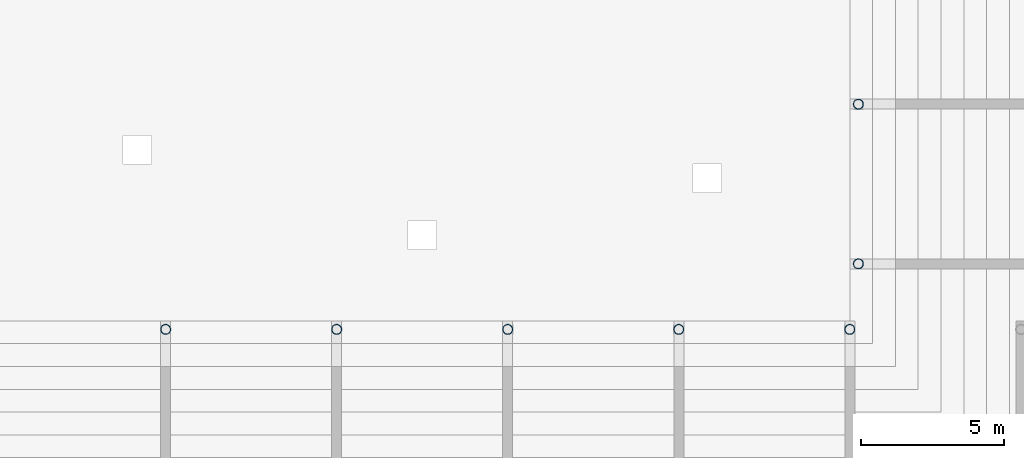
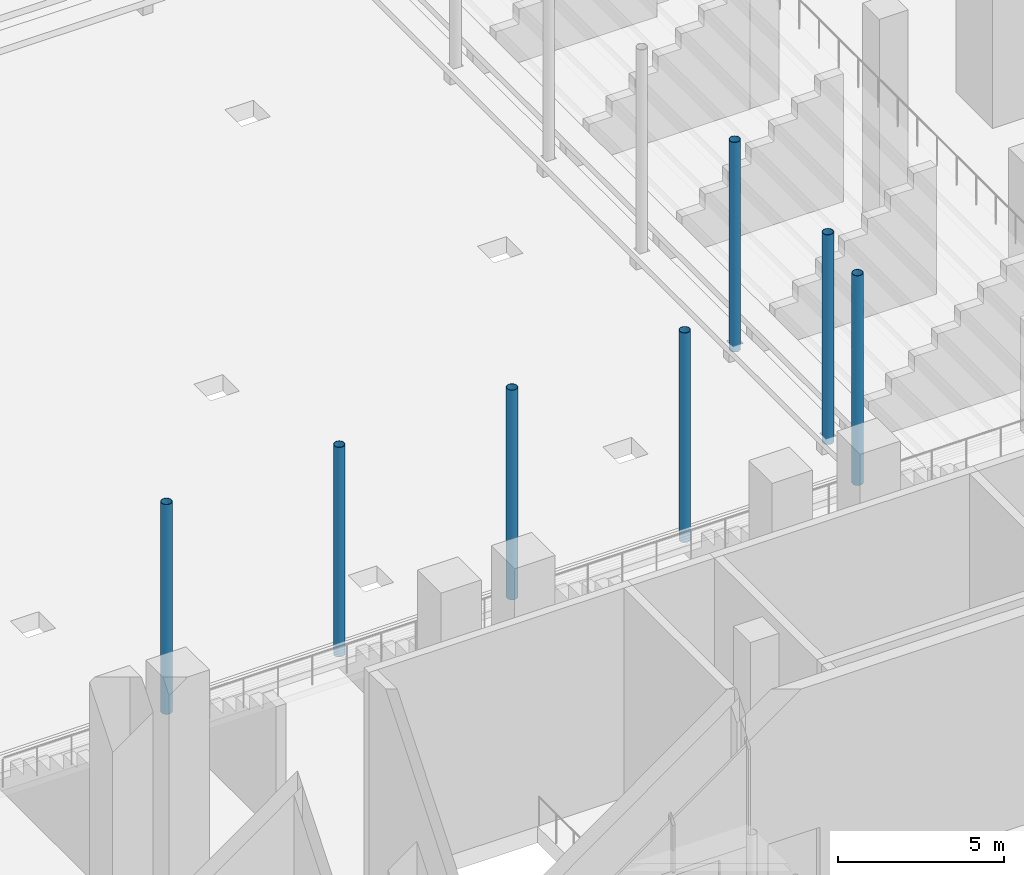
# One storey, part 8 of 41: 7 columns.
"""IFC4 building model written with IfcOpenShell, lengths in metres."""

from ifc_helpers import new_model, si_unit, direction, frame, origin, origin_2d, place, context, subcontext, project, spatial, hollow_circle, extrude, material, material_profile, profile_set, type_object, element, save


model = new_model("IFC4")

# Units and contexts
model_context = context("Model", 3, precision=1e-05, world=origin(), true_north=direction((0.0, 1.0)))
body_context = subcontext(model_context, "Body", "Model", "MODEL_VIEW")
ifc_project = project(units=[si_unit("LENGTHUNIT", "METRE"), si_unit("AREAUNIT", "SQUARE_METRE"), si_unit("VOLUMEUNIT", "CUBIC_METRE"), si_unit("PLANEANGLEUNIT", "RADIAN"), si_unit("MASSUNIT", "GRAM", prefix="KILO")], contexts=[model_context])

# Site, building, storey
site_placement = place(None, origin())
site = spatial("IfcSite", under=ifc_project, at=site_placement, CompositionType="ELEMENT")
building_placement = place(site_placement, origin())
building = spatial("IfcBuilding", under=site, at=building_placement, Name="Wharfspan Tower", CompositionType="ELEMENT")
storey_placement = place(building_placement, origin())
storey = spatial("IfcBuildingStorey", under=building, at=storey_placement, Name="L00", CompositionType="ELEMENT", Elevation=0.0)

# Columns
ifc_material = material(Name="Steel S460NH", Category="steel")
ifc_material_profile = material_profile(ifc_material, hollow_circle(Radius=0.177734, WallThickness=0.016113, at=origin_2d()))
ifc_profile_set = profile_set([ifc_material_profile], Name="Steel S460NH")
column_type = type_object("IfcColumnType", Name="Tier column CHS 356x16", PredefinedType="COLUMN", material=ifc_profile_set)
for number, where, z_axis, x_axis, name in (
    (1, (52.0, -14.300049, 0.300049), (0.0, 0.0, 1.0), (1.0, 0.0, 0.0), "Upper tier column"),
    (2, (58.0, -14.300049, 0.300049), (0.0, 0.0, 1.0), (1.0, 0.0, 0.0), "Upper tier column"),
    (3, (64.0, -14.300049, 0.300049), (0.0, 0.0, 1.0), (1.0, 0.0, 0.0), "Upper tier column"),
    (4, (70.0, -14.300049, 0.300049), (0.0, 0.0, 1.0), (1.0, 0.0, 0.0), "Upper tier column"),
    (5, (76.0, -14.300049, 0.300049), (0.0, 0.0, 1.0), (1.0, 0.0, 0.0), "Upper tier column"),
    (6, (76.300049, -12.0, 0.300049), (0.0, 0.0, 1.0), (1.0, 0.0, 0.0), "Upper tier column"),
    (7, (76.300049, -6.399902, 0.300049), (0.0, 0.0, 1.0), (1.0, 0.0, 0.0), "Upper tier column"),
):
    element("IfcColumn", number, at=place(storey_placement, frame(where, z_axis=z_axis, x_axis=x_axis)), inside=storey, type_object=column_type, Name=name, PredefinedType="COLUMN", context=body_context, shape_type="SweptSolid", body=[
        extrude(hollow_circle(Radius=0.177734, WallThickness=0.016113, at=origin_2d()), origin(), (0.0, 0.0, 1.0), 7.699951),
    ])

save(model, "model.ifc")
